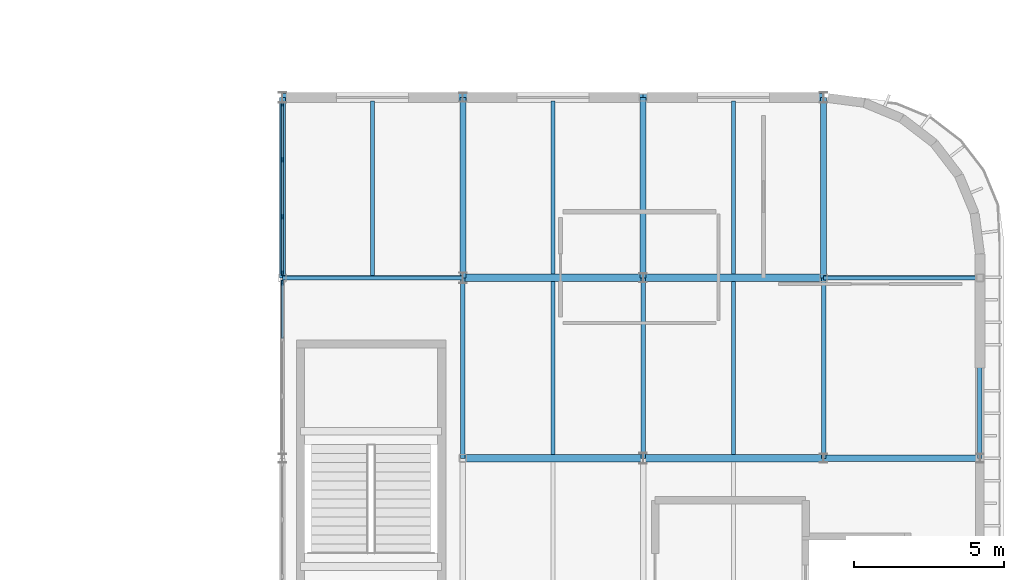
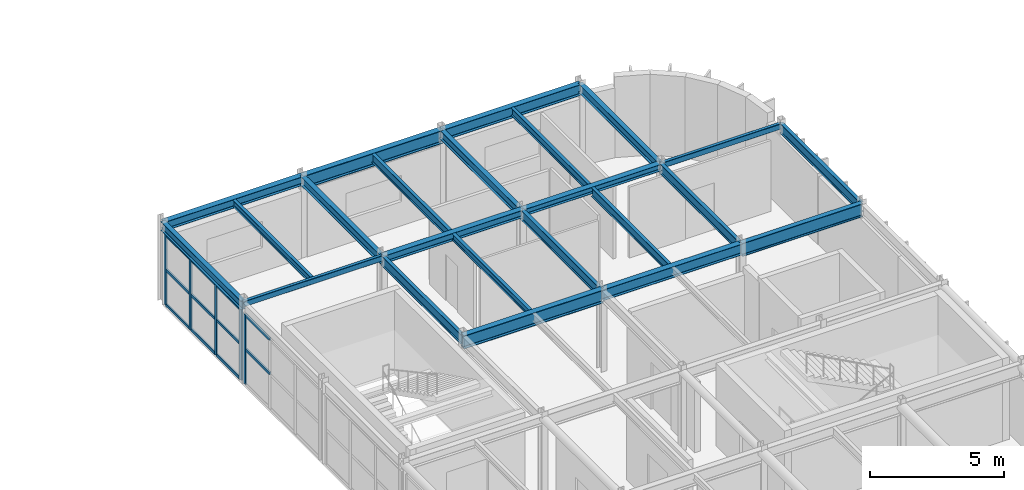
# One storey, part 42 of 63: 23 beams, 16 members, 2 elements without a shape of their own.
"""IFC4 building model written with IfcOpenShell, lengths in metres."""

from ifc_helpers import new_model, si_unit, direction, frame, origin, origin_2d, place, context, subcontext, project, spatial, rectangle, hollow_rectangle, i_section, extrude, material, material_profile, profile_set, type_object, element, aggregate, save


model = new_model("IFC4")

# Units and contexts
model_context = context("Model", 3, precision=1e-05, world=origin(), true_north=direction((0.0, 1.0)))
body_context = subcontext(model_context, "Body", "Model", "MODEL_VIEW")
ifc_project = project(units=[si_unit("LENGTHUNIT", "METRE"), si_unit("AREAUNIT", "SQUARE_METRE"), si_unit("VOLUMEUNIT", "CUBIC_METRE"), si_unit("PLANEANGLEUNIT", "RADIAN"), si_unit("MASSUNIT", "GRAM", prefix="KILO")], contexts=[model_context])

# Site, building, storey
site_placement = place(None, origin())
site = spatial("IfcSite", under=ifc_project, at=site_placement, CompositionType="ELEMENT")
building_placement = place(site_placement, origin())
building = spatial("IfcBuilding", under=site, at=building_placement, Name="Varnakota Square Police Headquarters", CompositionType="ELEMENT")
storey_placement = place(building_placement, frame((0.0, 0.0, 22.199951171875)))
storey = spatial("IfcBuildingStorey", under=building, at=storey_placement, Name="L05", CompositionType="ELEMENT", Elevation=22.199951171875)

# Beams
ifc_material_1 = material(Name="Steel IS 2062 Grade 350", Category="steel")
ifc_material_profile_1 = material_profile(ifc_material_1, hollow_rectangle(XDim=0.14990234375, YDim=0.25, WallThickness=0.010009765625, InnerFilletRadius=0.010009765625, OuterFilletRadius=0.02001953125, at=origin_2d()), Name="RHS 250x150x10")
ifc_profile_set_1 = profile_set([ifc_material_profile_1], Name="Steel IS 2062 Grade 350")
beam_type_1 = type_object("IfcBeamType", Name="BM-CBEAM-RHS250", PredefinedType="BEAM", material=ifc_profile_set_1)
beam_1_placement = place(storey_placement, frame((138.0, 39.0, 3.56494140625), z_axis=(1.0, 0.0, 0.0), x_axis=(0.0, 1.0, 0.0)))
element("IfcBeam", 1, at=beam_1_placement, inside=storey, type_object=beam_type_1, Name="BMG-L05-3131", PredefinedType="BEAM", context=body_context, shape_type="SweptSolid", body=[
    extrude(hollow_rectangle(XDim=0.14990234375, YDim=0.25, WallThickness=0.010009765625, InnerFilletRadius=0.010009765625, OuterFilletRadius=0.02001953125, at=origin_2d()), origin(), (0.0, 0.0, 1.0), 6.0),
])
beam_2_placement = place(storey_placement, frame((156.0, 39.0, 3.56494140625), z_axis=(1.0, 0.0, 0.0), x_axis=(0.0, 1.0, 0.0)))
element("IfcBeam", 2, at=beam_2_placement, inside=storey, type_object=beam_type_1, Name="BMG-L05-3134", PredefinedType="BEAM", context=body_context, shape_type="SweptSolid", body=[
    extrude(hollow_rectangle(XDim=0.14990234375, YDim=0.25, WallThickness=0.010009765625, InnerFilletRadius=0.010009765625, OuterFilletRadius=0.02001953125, at=origin_2d()), origin(), (0.0, 0.0, 1.0), 5.199951171875),
])
ifc_material_profile_2 = material_profile(ifc_material_1, i_section(OverallWidth=0.25, OverallDepth=0.300048828125, WebThickness=0.009521484375, FlangeThickness=0.010498046875, FilletRadius=0.011962890625, at=origin_2d()), Name="ISHB 300")
ifc_profile_set_2 = profile_set([ifc_material_profile_2], Name="Steel IS 2062 Grade 350")
beam_type_2 = type_object("IfcBeamType", Name="BM-ISHB300", PredefinedType="BEAM", material=ifc_profile_set_2)
beam_3_placement = place(storey_placement, frame((150.0, 39.0, 3.5400390625), z_axis=(1.0, 0.0, 0.0), x_axis=(0.0, 1.0, 0.0)))
element("IfcBeam", 3, at=beam_3_placement, inside=storey, type_object=beam_type_2, Name="BMG-L05-3133", PredefinedType="BEAM", context=body_context, shape_type="SweptSolid", body=[
    extrude(i_section(OverallWidth=0.25, OverallDepth=0.300048828125, WebThickness=0.009521484375, FlangeThickness=0.010498046875, FilletRadius=0.011962890625, at=origin_2d()), origin(), (0.0, 0.0, 1.0), 6.0),
])
ifc_material_profile_3 = material_profile(ifc_material_1, i_section(OverallWidth=0.25, OverallDepth=0.35009765625, WebThickness=0.010009765625, FlangeThickness=0.01171875, FilletRadius=0.011962890625, at=origin_2d()), Name="ISHB 350")
ifc_profile_set_3 = profile_set([ifc_material_profile_3], Name="Steel IS 2062 Grade 350")
beam_type_3 = type_object("IfcBeamType", Name="BM-ISHB350", PredefinedType="BEAM", material=ifc_profile_set_3)
beam_4_placement = place(storey_placement, frame((144.0, 39.0, 3.51513671875), z_axis=(1.0, 0.0, 0.0), x_axis=(0.0, 1.0, 0.0)))
element("IfcBeam", 4, at=beam_4_placement, inside=storey, type_object=beam_type_3, Name="BMG-L05-3132", PredefinedType="BEAM", context=body_context, shape_type="SweptSolid", body=[
    extrude(i_section(OverallWidth=0.25, OverallDepth=0.35009765625, WebThickness=0.010009765625, FlangeThickness=0.01171875, FilletRadius=0.011962890625, at=origin_2d()), origin(), (0.0, 0.0, 1.0), 6.0),
])
ifc_material_profile_4 = material_profile(ifc_material_1, i_section(OverallWidth=0.25, OverallDepth=0.39990234375, WebThickness=0.010498046875, FlangeThickness=0.0126953125, FilletRadius=0.013916015625, at=origin_2d()), Name="ISHB 400")
ifc_profile_set_4 = profile_set([ifc_material_profile_4], Name="Steel IS 2062 Grade 350")
beam_type_4 = type_object("IfcBeamType", Name="BM-ISHB400", PredefinedType="BEAM", material=ifc_profile_set_4)
beam_5_placement = place(storey_placement, frame((138.0, 45.0, 3.489990234375), z_axis=(1.0, 0.0, 0.0), x_axis=(0.0, 1.0, 0.0)))
element("IfcBeam", 5, at=beam_5_placement, inside=storey, type_object=beam_type_4, Name="BMG-L05-3140", PredefinedType="BEAM", context=body_context, shape_type="SweptSolid", body=[
    extrude(i_section(OverallWidth=0.25, OverallDepth=0.39990234375, WebThickness=0.010498046875, FlangeThickness=0.0126953125, FilletRadius=0.013916015625, at=origin_2d()), origin(), (0.0, 0.0, 1.0), 6.0),
])
ifc_material_profile_5 = material_profile(ifc_material_1, i_section(OverallWidth=0.139892578125, OverallDepth=0.300048828125, WebThickness=0.0078125, FlangeThickness=0.01318359375, FilletRadius=0.013916015625, at=origin_2d()), Name="ISMB 300")
ifc_profile_set_5 = profile_set([ifc_material_profile_5], Name="Steel IS 2062 Grade 350")
beam_type_5 = type_object("IfcBeamType", Name="BM-ISMB300", PredefinedType="JOIST", material=ifc_profile_set_5)
beam_6_placement = place(storey_placement, frame((141.0, 39.072998046875, 3.5400390625), z_axis=(0.0, 1.0, 0.0), x_axis=(-1.0, 0.0, 0.0)))
element("IfcBeam", 6, at=beam_6_placement, inside=storey, type_object=beam_type_5, Name="BMG-L05-3285", PredefinedType="JOIST", context=body_context, shape_type="SweptSolid", body=[
    extrude(i_section(OverallWidth=0.139892578125, OverallDepth=0.300048828125, WebThickness=0.0078125, FlangeThickness=0.01318359375, FilletRadius=0.013916015625, at=origin_2d()), origin(), (0.0, 0.0, 1.0), 5.803955078125),
])
beam_7_placement = place(storey_placement, frame((147.0, 33.123046875, 3.5400390625), z_axis=(0.0, 1.0, 0.0), x_axis=(-1.0, 0.0, 0.0)))
element("IfcBeam", 7, at=beam_7_placement, inside=storey, type_object=beam_type_5, Name="BMG-L05-3290", PredefinedType="JOIST", context=body_context, shape_type="SweptSolid", body=[
    extrude(i_section(OverallWidth=0.139892578125, OverallDepth=0.300048828125, WebThickness=0.0078125, FlangeThickness=0.01318359375, FilletRadius=0.013916015625, at=origin_2d()), origin(), (0.0, 0.0, 1.0), 5.75390625),
])
ifc_material_profile_6 = material_profile(ifc_material_1, i_section(OverallWidth=0.139892578125, OverallDepth=0.35009765625, WebThickness=0.008056640625, FlangeThickness=0.01416015625, FilletRadius=0.013916015625, at=origin_2d()), Name="ISMB 350")
ifc_profile_set_6 = profile_set([ifc_material_profile_6], Name="Steel IS 2062 Grade 350")
beam_type_6 = type_object("IfcBeamType", Name="BM-ISMB350", PredefinedType="JOIST", material=ifc_profile_set_6)
beam_8_placement = place(storey_placement, frame((153.0, 39.123046875, 3.51513671875), z_axis=(0.0, 1.0, 0.0), x_axis=(-1.0, 0.0, 0.0)))
element("IfcBeam", 8, at=beam_8_placement, inside=storey, type_object=beam_type_6, Name="BMG-L05-3296", PredefinedType="JOIST", context=body_context, shape_type="SweptSolid", body=[
    extrude(i_section(OverallWidth=0.139892578125, OverallDepth=0.35009765625, WebThickness=0.008056640625, FlangeThickness=0.01416015625, FilletRadius=0.013916015625, at=origin_2d()), origin(), (0.0, 0.0, 1.0), 5.75390625),
])
ifc_material_profile_7 = material_profile(ifc_material_1, i_section(OverallWidth=0.139892578125, OverallDepth=0.39990234375, WebThickness=0.0087890625, FlangeThickness=0.01611328125, FilletRadius=0.013916015625, at=origin_2d()), Name="ISMB 400")
ifc_profile_set_7 = profile_set([ifc_material_profile_7], Name="Steel IS 2062 Grade 350")
beam_type_7 = type_object("IfcBeamType", Name="BM-ISMB400", PredefinedType="JOIST", material=ifc_profile_set_7)
for number, where, z_axis, x_axis, name in (
    (9, (147.0, 39.123046875, 3.489990234375), (0.0, 1.0, 0.0), (-1.0, 0.0, 0.0), "BMG-L05-3291"),
    (10, (153.0, 33.123046875, 3.489990234375), (0.0, 1.0, 0.0), (-1.0, 0.0, 0.0), "BMG-L05-3295"),
):
    element("IfcBeam", number, at=place(storey_placement, frame(where, z_axis=z_axis, x_axis=x_axis)), inside=storey, type_object=beam_type_7, Name=name, PredefinedType="JOIST", context=body_context, shape_type="SweptSolid", body=[
        extrude(i_section(OverallWidth=0.139892578125, OverallDepth=0.39990234375, WebThickness=0.0087890625, FlangeThickness=0.01611328125, FilletRadius=0.013916015625, at=origin_2d()), origin(), (0.0, 0.0, 1.0), 5.75390625),
    ])
ifc_material_profile_8 = material_profile(ifc_material_1, i_section(OverallWidth=0.14990234375, OverallDepth=0.449951171875, WebThickness=0.009521484375, FlangeThickness=0.017333984375, FilletRadius=0.014892578125, at=origin_2d()), Name="ISMB 450")
ifc_profile_set_8 = profile_set([ifc_material_profile_8], Name="Steel IS 2062 Grade 350")
beam_type_8 = type_object("IfcBeamType", Name="BM-ISMB450", PredefinedType="BEAM", material=ifc_profile_set_8)
for number, where, z_axis, x_axis, name in (
    (11, (144.0, 33.0, 3.465087890625), (0.0, 1.0, 0.0), (-1.0, 0.0, 0.0), "BMG-L05-3227"),
    (12, (150.0, 33.0, 3.465087890625), (0.0, 1.0, 0.0), (-1.0, 0.0, 0.0), "BMG-L05-3234"),
    (13, (156.0, 33.0, 3.465087890625), (0.0, 1.0, 0.0), (-1.0, 0.0, 0.0), "BMG-L05-3239"),
    (14, (161.199951171875, 33.0, 3.465087890625), (0.0, 1.0, 0.0), (-1.0, 0.0, 0.0), "BMG-L05-3245"),
):
    element("IfcBeam", number, at=place(storey_placement, frame(where, z_axis=z_axis, x_axis=x_axis)), inside=storey, type_object=beam_type_8, Name=name, PredefinedType="BEAM", context=body_context, shape_type="SweptSolid", body=[
        extrude(i_section(OverallWidth=0.14990234375, OverallDepth=0.449951171875, WebThickness=0.009521484375, FlangeThickness=0.017333984375, FilletRadius=0.014892578125, at=origin_2d()), origin(), (0.0, 0.0, 1.0), 6.0),
    ])
ifc_material_profile_9 = material_profile(ifc_material_1, i_section(OverallWidth=0.2099609375, OverallDepth=0.60009765625, WebThickness=0.011962890625, FlangeThickness=0.020751953125, FilletRadius=0.02001953125, at=origin_2d()), Name="ISMB 600")
ifc_profile_set_9 = profile_set([ifc_material_profile_9], Name="Steel IS 2062 Grade 350")
beam_type_9 = type_object("IfcBeamType", Name="BM-ISMB600", PredefinedType="BEAM", material=ifc_profile_set_9)
beam_9_placement = place(storey_placement, frame((156.0, 33.0, 3.39013671875), z_axis=(1.0, 0.0, 0.0), x_axis=(0.0, 1.0, 0.0)))
element("IfcBeam", 15, at=beam_9_placement, inside=storey, type_object=beam_type_9, Name="BMG-L05-3124", PredefinedType="BEAM", context=body_context, shape_type="SweptSolid", body=[
    extrude(i_section(OverallWidth=0.2099609375, OverallDepth=0.60009765625, WebThickness=0.011962890625, FlangeThickness=0.020751953125, FilletRadius=0.02001953125, at=origin_2d()), origin(), (0.0, 0.0, 1.0), 5.199951171875),
])
ifc_material_profile_10 = material_profile(ifc_material_1, i_section(OverallWidth=0.199951171875, OverallDepth=0.39990234375, WebThickness=0.008544921875, FlangeThickness=0.012939453125, FilletRadius=0.012939453125, at=origin_2d()), Name="ISWB 400")
ifc_profile_set_10 = profile_set([ifc_material_profile_10], Name="Steel IS 2062 Grade 350")
beam_type_10 = type_object("IfcBeamType", Name="BM-ISWB400", PredefinedType="BEAM", material=ifc_profile_set_10)
for number, where, z_axis, x_axis, name in (
    (16, (138.0, 39.0, 3.489990234375), (0.0, 1.0, 0.0), (-1.0, 0.0, 0.0), "BMG-L05-3221"),
    (17, (144.0, 39.0, 3.489990234375), (0.0, 1.0, 0.0), (-1.0, 0.0, 0.0), "BMG-L05-3228"),
    (18, (150.0, 39.0, 3.489990234375), (0.0, 1.0, 0.0), (-1.0, 0.0, 0.0), "BMG-L05-3235"),
    (19, (156.0, 39.0, 3.489990234375), (0.0, 1.0, 0.0), (-1.0, 0.0, 0.0), "BMG-L05-3240"),
):
    element("IfcBeam", number, at=place(storey_placement, frame(where, z_axis=z_axis, x_axis=x_axis)), inside=storey, type_object=beam_type_10, Name=name, PredefinedType="BEAM", context=body_context, shape_type="SweptSolid", body=[
        extrude(i_section(OverallWidth=0.199951171875, OverallDepth=0.39990234375, WebThickness=0.008544921875, FlangeThickness=0.012939453125, FilletRadius=0.012939453125, at=origin_2d()), origin(), (0.0, 0.0, 1.0), 6.0),
    ])
ifc_material_profile_11 = material_profile(ifc_material_1, i_section(OverallWidth=0.25, OverallDepth=0.5, WebThickness=0.010009765625, FlangeThickness=0.0146484375, FilletRadius=0.014892578125, at=origin_2d()), Name="ISWB 500")
ifc_profile_set_11 = profile_set([ifc_material_profile_11], Name="Steel IS 2062 Grade 350")
beam_type_11 = type_object("IfcBeamType", Name="BM-ISWB500", PredefinedType="BEAM", material=ifc_profile_set_11)
for number, where, z_axis, x_axis, name in (
    (20, (150.0, 33.0, 3.43994140625), (1.0, 0.0, 0.0), (0.0, 1.0, 0.0), "BMG-L05-3123"),
    (21, (150.0, 45.0, 3.43994140625), (1.0, 0.0, 0.0), (0.0, 1.0, 0.0), "BMG-L05-3142"),
):
    element("IfcBeam", number, at=place(storey_placement, frame(where, z_axis=z_axis, x_axis=x_axis)), inside=storey, type_object=beam_type_11, Name=name, PredefinedType="BEAM", context=body_context, shape_type="SweptSolid", body=[
        extrude(i_section(OverallWidth=0.25, OverallDepth=0.5, WebThickness=0.010009765625, FlangeThickness=0.0146484375, FilletRadius=0.014892578125, at=origin_2d()), origin(), (0.0, 0.0, 1.0), 6.0),
    ])
ifc_material_profile_12 = material_profile(ifc_material_1, i_section(OverallWidth=0.25, OverallDepth=0.60009765625, WebThickness=0.01171875, FlangeThickness=0.023681640625, FilletRadius=0.01708984375, at=origin_2d()), Name="ISWB 600")
ifc_profile_set_12 = profile_set([ifc_material_profile_12], Name="Steel IS 2062 Grade 350")
beam_type_12 = type_object("IfcBeamType", Name="BM-ISWB600", PredefinedType="BEAM", material=ifc_profile_set_12)
for number, where, z_axis, x_axis, name in (
    (22, (144.0, 33.0, 3.39013671875), (1.0, 0.0, 0.0), (0.0, 1.0, 0.0), "BMG-L05-3122"),
    (23, (144.0, 45.0, 3.39013671875), (1.0, 0.0, 0.0), (0.0, 1.0, 0.0), "BMG-L05-3141"),
):
    element("IfcBeam", number, at=place(storey_placement, frame(where, z_axis=z_axis, x_axis=x_axis)), inside=storey, type_object=beam_type_12, Name=name, PredefinedType="BEAM", context=body_context, shape_type="SweptSolid", body=[
        extrude(i_section(OverallWidth=0.25, OverallDepth=0.60009765625, WebThickness=0.01171875, FlangeThickness=0.023681640625, FilletRadius=0.01708984375, at=origin_2d()), origin(), (0.0, 0.0, 1.0), 6.0),
    ])

# Curtain wall, member
ifc_material_2 = material(Name="Anodised Aluminium Framing", Category="aluminium")
curtain_wall_type = type_object("IfcCurtainWallType", Name="CW-SYS-E", PredefinedType="NOTDEFINED", material=ifc_material_2)
curtain_wall_1_placement = place(storey_placement, origin())
curtain_wall_1 = element("IfcCurtainWall", 24, at=curtain_wall_1_placement, inside=storey, type_object=curtain_wall_type, Name="Unitised curtain wall CWG-L05-108", PredefinedType="NOTDEFINED")
ifc_material_3 = material(Name="Anodised Aluminium 6063-T6", Category="aluminium")
ifc_material_profile_13 = material_profile(ifc_material_3, rectangle(XDim=0.06494140625, YDim=0.159912109375, at=origin_2d()), Name="ALU MULLION 65x160")
ifc_profile_set_13 = profile_set([ifc_material_profile_13], Name="Anodised Aluminium 6063-T6")
member_type_1 = type_object("IfcMemberType", Name="CWM-150", PredefinedType="MULLION", material=ifc_profile_set_13)
member_1_placement = place(storey_placement, frame((138.0, 38.83740234375, 0.0), z_axis=(0.0, 0.0, 1.0), x_axis=(-1.0, 0.0, 0.0)))
member_1 = element("IfcMember", 25, at=member_1_placement, type_object=member_type_1, Name="CWG-L05-108 mullion 4", PredefinedType="MULLION", context=body_context, shape_type="SweptSolid", body=[
    extrude(rectangle(XDim=0.06494140625, YDim=0.159912109375, at=origin_2d()), origin(), (0.0, 0.0, 1.0), 3.179931640625),
])

# Curtain wall, members
curtain_wall_2_placement = place(storey_placement, origin())
curtain_wall_2 = element("IfcCurtainWall", 26, at=curtain_wall_2_placement, inside=storey, type_object=curtain_wall_type, Name="Unitised curtain wall CWG-L05-109", PredefinedType="NOTDEFINED")
member_2_placement = place(storey_placement, frame((138.0, 39.16259765625, 0.0), z_axis=(0.0, 0.0, 1.0), x_axis=(-1.0, 0.0, 0.0)))
member_2 = element("IfcMember", 27, at=member_2_placement, type_object=member_type_1, Name="CWG-L05-109 mullion 1", PredefinedType="MULLION", context=body_context, shape_type="SweptSolid", body=[
    extrude(rectangle(XDim=0.06494140625, YDim=0.159912109375, at=origin_2d()), origin(), (0.0, 0.0, 1.0), 3.22998046875),
])
member_3_placement = place(storey_placement, frame((138.0, 41.026611328125, 0.0), z_axis=(0.0, 0.0, 1.0), x_axis=(-1.0, 0.0, 0.0)))
member_3 = element("IfcMember", 28, at=member_3_placement, type_object=member_type_1, Name="CWG-L05-109 mullion 2", PredefinedType="MULLION", context=body_context, shape_type="SweptSolid", body=[
    extrude(rectangle(XDim=0.06494140625, YDim=0.159912109375, at=origin_2d()), origin(), (0.0, 0.0, 1.0), 3.22998046875),
])
member_4_placement = place(storey_placement, frame((138.0, 42.92333984375, 0.0), z_axis=(0.0, 0.0, 1.0), x_axis=(-1.0, 0.0, 0.0)))
member_4 = element("IfcMember", 29, at=member_4_placement, type_object=member_type_1, Name="CWG-L05-109 mullion 3", PredefinedType="MULLION", context=body_context, shape_type="SweptSolid", body=[
    extrude(rectangle(XDim=0.06494140625, YDim=0.159912109375, at=origin_2d()), origin(), (0.0, 0.0, 1.0), 3.22998046875),
])
member_5_placement = place(storey_placement, frame((138.0, 44.78759765625, 0.0), z_axis=(0.0, 0.0, 1.0), x_axis=(-1.0, 0.0, 0.0)))
member_5 = element("IfcMember", 30, at=member_5_placement, type_object=member_type_1, Name="CWG-L05-109 mullion 4", PredefinedType="MULLION", context=body_context, shape_type="SweptSolid", body=[
    extrude(rectangle(XDim=0.06494140625, YDim=0.159912109375, at=origin_2d()), origin(), (0.0, 0.0, 1.0), 3.22998046875),
])

# Member
ifc_material_profile_14 = material_profile(ifc_material_3, rectangle(XDim=0.06494140625, YDim=0.1298828125, at=origin_2d()), Name="ALU TRANSOM 65x130")
ifc_profile_set_14 = profile_set([ifc_material_profile_14], Name="Anodised Aluminium 6063-T6")
member_type_2 = type_object("IfcMemberType", Name="CWT-120", PredefinedType="USERDEFINED", material=ifc_profile_set_14)
member_6_placement = place(storey_placement, frame((138.0, 36.99755859375, 1.590087890625), z_axis=(0.0, 1.0, 0.0), x_axis=(-1.0, 0.0, 0.0)))
member_6 = element("IfcMember", 31, at=member_6_placement, type_object=member_type_2, Name="CWG-L05-108 transom 3.2", ObjectType="TRANSOM", PredefinedType="USERDEFINED", context=body_context, shape_type="SweptSolid", body=[
    extrude(rectangle(XDim=0.06494140625, YDim=0.1298828125, at=origin_2d()), origin(), (0.0, 0.0, 1.0), 1.807373046875),
])

member_7_placement = place(storey_placement, frame((138.0, 36.99755859375, 3.1474609375), z_axis=(0.0, 1.0, 0.0), x_axis=(-1.0, 0.0, 0.0)))
member_7 = element("IfcMember", 32, at=member_7_placement, type_object=member_type_2, Name="CWG-L05-108 transom 3.3", ObjectType="TRANSOM", PredefinedType="USERDEFINED", context=body_context, shape_type="SweptSolid", body=[
    extrude(rectangle(XDim=0.06494140625, YDim=0.1298828125, at=origin_2d()), origin(), (0.0, 0.0, 1.0), 1.807373046875),
])

aggregate(curtain_wall_1, [member_1, member_6, member_7])

member_8_placement = place(storey_placement, frame((138.0, 39.195068359375, 0.032470703125), z_axis=(0.0, 1.0, 0.0), x_axis=(-1.0, 0.0, 0.0)))
member_8 = element("IfcMember", 33, at=member_8_placement, type_object=member_type_2, Name="CWG-L05-109 transom 1.1", ObjectType="TRANSOM", PredefinedType="USERDEFINED", context=body_context, shape_type="SweptSolid", body=[
    extrude(rectangle(XDim=0.06494140625, YDim=0.1298828125, at=origin_2d()), origin(), (0.0, 0.0, 1.0), 1.799072265625),
])

member_9_placement = place(storey_placement, frame((138.0, 39.195068359375, 1.614990234375), z_axis=(0.0, 1.0, 0.0), x_axis=(-1.0, 0.0, 0.0)))
member_9 = element("IfcMember", 34, at=member_9_placement, type_object=member_type_2, Name="CWG-L05-109 transom 1.2", ObjectType="TRANSOM", PredefinedType="USERDEFINED", context=body_context, shape_type="SweptSolid", body=[
    extrude(rectangle(XDim=0.06494140625, YDim=0.1298828125, at=origin_2d()), origin(), (0.0, 0.0, 1.0), 1.799072265625),
])

member_10_placement = place(storey_placement, frame((138.0, 39.195068359375, 3.197509765625), z_axis=(0.0, 1.0, 0.0), x_axis=(-1.0, 0.0, 0.0)))
member_10 = element("IfcMember", 35, at=member_10_placement, type_object=member_type_2, Name="CWG-L05-109 transom 1.3", ObjectType="TRANSOM", PredefinedType="USERDEFINED", context=body_context, shape_type="SweptSolid", body=[
    extrude(rectangle(XDim=0.06494140625, YDim=0.1298828125, at=origin_2d()), origin(), (0.0, 0.0, 1.0), 1.799072265625),
])

member_11_placement = place(storey_placement, frame((138.0, 41.05908203125, 0.032470703125), z_axis=(0.0, 1.0, 0.0), x_axis=(-1.0, 0.0, 0.0)))
member_11 = element("IfcMember", 36, at=member_11_placement, type_object=member_type_2, Name="CWG-L05-109 transom 2.1", ObjectType="TRANSOM", PredefinedType="USERDEFINED", context=body_context, shape_type="SweptSolid", body=[
    extrude(rectangle(XDim=0.06494140625, YDim=0.1298828125, at=origin_2d()), origin(), (0.0, 0.0, 1.0), 1.831787109375),
])

member_12_placement = place(storey_placement, frame((138.0, 41.05908203125, 1.614990234375), z_axis=(0.0, 1.0, 0.0), x_axis=(-1.0, 0.0, 0.0)))
member_12 = element("IfcMember", 37, at=member_12_placement, type_object=member_type_2, Name="CWG-L05-109 transom 2.2", ObjectType="TRANSOM", PredefinedType="USERDEFINED", context=body_context, shape_type="SweptSolid", body=[
    extrude(rectangle(XDim=0.06494140625, YDim=0.1298828125, at=origin_2d()), origin(), (0.0, 0.0, 1.0), 1.831787109375),
])

member_13_placement = place(storey_placement, frame((138.0, 41.05908203125, 3.197509765625), z_axis=(0.0, 1.0, 0.0), x_axis=(-1.0, 0.0, 0.0)))
member_13 = element("IfcMember", 38, at=member_13_placement, type_object=member_type_2, Name="CWG-L05-109 transom 2.3", ObjectType="TRANSOM", PredefinedType="USERDEFINED", context=body_context, shape_type="SweptSolid", body=[
    extrude(rectangle(XDim=0.06494140625, YDim=0.1298828125, at=origin_2d()), origin(), (0.0, 0.0, 1.0), 1.831787109375),
])

member_14_placement = place(storey_placement, frame((138.0, 42.955810546875, 0.032470703125), z_axis=(0.0, 1.0, 0.0), x_axis=(-1.0, 0.0, 0.0)))
member_14 = element("IfcMember", 39, at=member_14_placement, type_object=member_type_2, Name="CWG-L05-109 transom 3.1", ObjectType="TRANSOM", PredefinedType="USERDEFINED", context=body_context, shape_type="SweptSolid", body=[
    extrude(rectangle(XDim=0.06494140625, YDim=0.1298828125, at=origin_2d()), origin(), (0.0, 0.0, 1.0), 1.799072265625),
])

member_15_placement = place(storey_placement, frame((138.0, 42.955810546875, 1.614990234375), z_axis=(0.0, 1.0, 0.0), x_axis=(-1.0, 0.0, 0.0)))
member_15 = element("IfcMember", 40, at=member_15_placement, type_object=member_type_2, Name="CWG-L05-109 transom 3.2", ObjectType="TRANSOM", PredefinedType="USERDEFINED", context=body_context, shape_type="SweptSolid", body=[
    extrude(rectangle(XDim=0.06494140625, YDim=0.1298828125, at=origin_2d()), origin(), (0.0, 0.0, 1.0), 1.799072265625),
])

member_16_placement = place(storey_placement, frame((138.0, 42.955810546875, 3.197509765625), z_axis=(0.0, 1.0, 0.0), x_axis=(-1.0, 0.0, 0.0)))
member_16 = element("IfcMember", 41, at=member_16_placement, type_object=member_type_2, Name="CWG-L05-109 transom 3.3", ObjectType="TRANSOM", PredefinedType="USERDEFINED", context=body_context, shape_type="SweptSolid", body=[
    extrude(rectangle(XDim=0.06494140625, YDim=0.1298828125, at=origin_2d()), origin(), (0.0, 0.0, 1.0), 1.799072265625),
])

aggregate(curtain_wall_2, [member_2, member_3, member_4, member_5, member_8, member_9, member_10, member_11, member_12, member_13, member_14, member_15, member_16])

save(model, "model.ifc")
